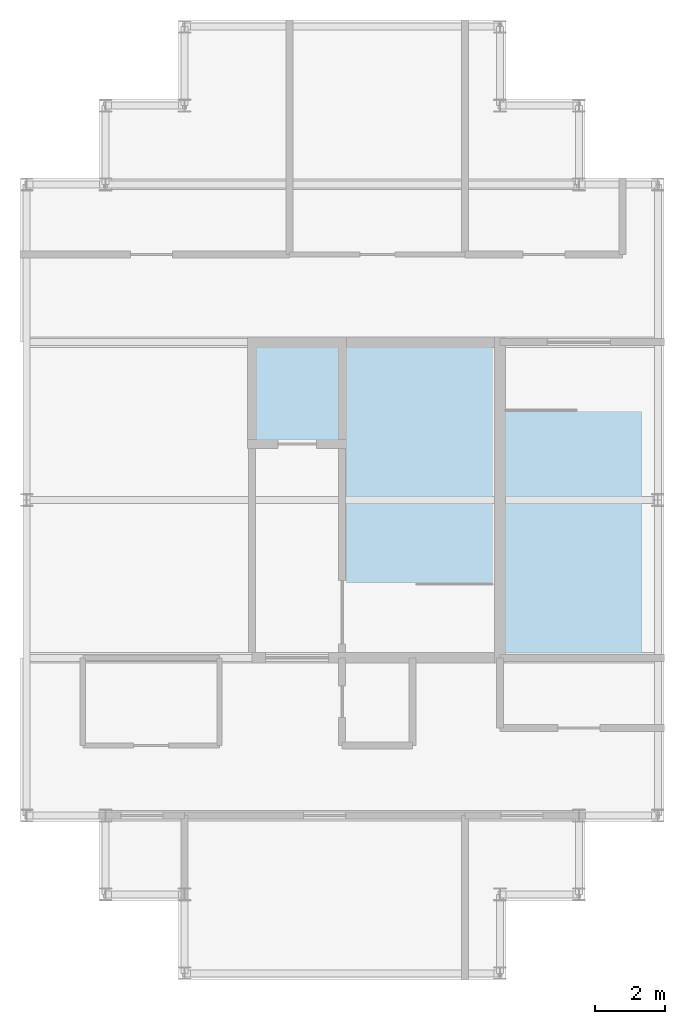
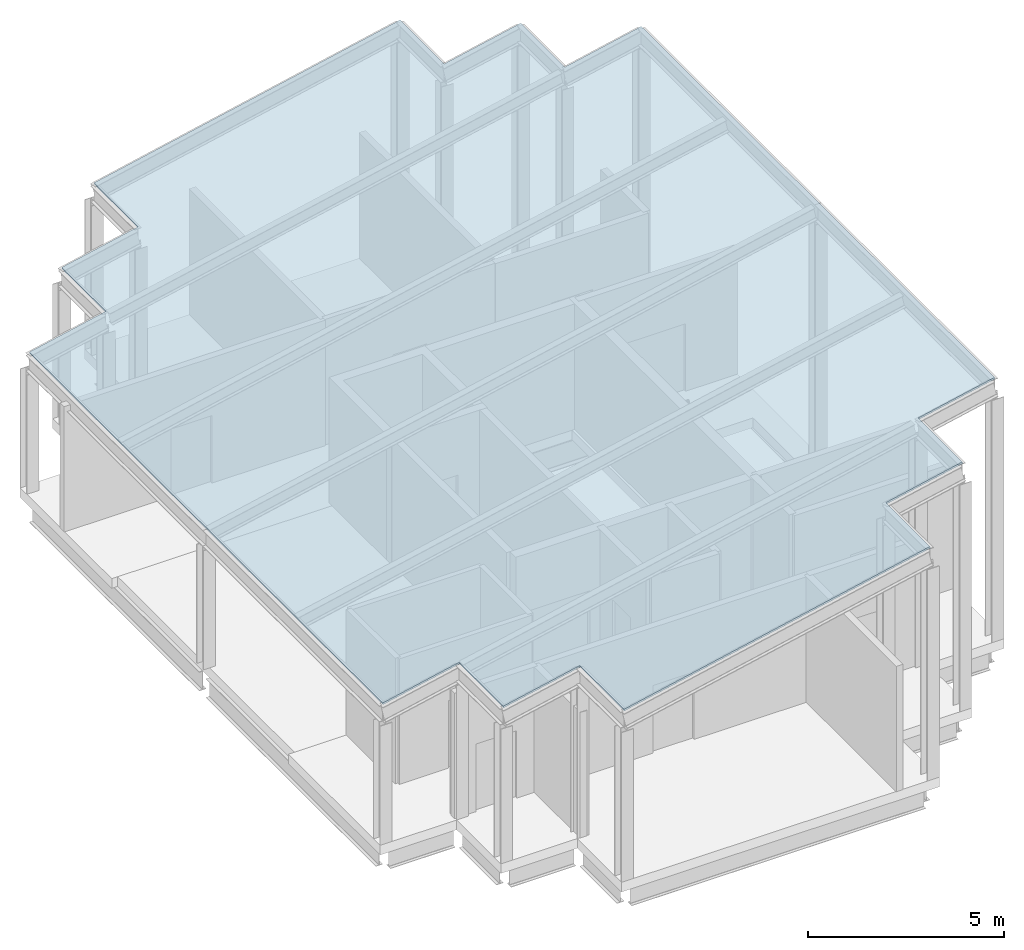
# One storey, part 3 of 4: 1 roof.
"""IFC4 building model written with IfcOpenShell, lengths in metres."""

from ifc_helpers import new_model, si_unit, direction, frame, origin, place, context, subcontext, project, spatial, polyline, outline, extrude, material, layer, layer_set, type_object, element, save


model = new_model("IFC4")

# Units and contexts
model_context = context("Model", 3, precision=1e-05, world=origin(), true_north=direction((0.0, 1.0)))
body_context = subcontext(model_context, "Body", "Model", "MODEL_VIEW")
ifc_project = project(units=[si_unit("LENGTHUNIT", "METRE"), si_unit("AREAUNIT", "SQUARE_METRE"), si_unit("VOLUMEUNIT", "CUBIC_METRE"), si_unit("PLANEANGLEUNIT", "RADIAN"), si_unit("MASSUNIT", "GRAM", prefix="KILO")], contexts=[model_context])

# Site, building, storey
site_placement = place(None, origin())
site = spatial("IfcSite", under=ifc_project, at=site_placement, CompositionType="ELEMENT")
building_placement = place(site_placement, origin())
building = spatial("IfcBuilding", under=site, at=building_placement, Name="Caravel Reach Hotel and Residences", CompositionType="ELEMENT")
storey_placement = place(building_placement, frame((0.0, 0.0, 329.60009765625)))
storey = spatial("IfcBuildingStorey", under=building, at=storey_placement, Name="L83", CompositionType="ELEMENT", Elevation=329.60009765625)

# Roof
ifc_material = material(Name="Dark laminated low-e glass", Category="glass")
ifc_layer = layer(ifc_material, 0.06005859375)
ifc_layer_set = layer_set([ifc_layer], Name="RF1 Glazed roof 60")
roof_type = type_object("IfcRoofType", Name="RF1 Glazed roof 60", PredefinedType="SHED_ROOF", material=ifc_layer_set)
roof_placement = place(storey_placement, frame((45.0, 13.5, 7.12939453125), z_axis=(-0.207910014217, 0.0, 0.978147957105), x_axis=(0.0, 1.0, 0.0)))
element("IfcRoof", 1, at=roof_placement, inside=storey, type_object=roof_type, Name="East peak glazed roof", PredefinedType="SHED_ROOF", context=body_context, shape_type="SweptSolid", body=[
    extrude(outline(polyline([(0.0, 0.0), (2.25, 0.0), (2.25, -2.300270334601784), (4.5, -2.300270334601784), (4.5, -4.600540669203568), (22.5, -4.600540669203568), (22.5, -2.300270334601784), (24.75, -2.300270334601784), (24.75, 0.0), (27.0, 0.0), (27.0, 9.201081338407135), (24.75, 9.201081338407135), (24.75, 11.50135167300892), (22.5, 11.50135167300892), (22.5, 13.80157124832989), (4.5, 13.80157124832989), (4.5, 11.50135167300892), (2.25, 11.50135167300892), (2.25, 9.201081338407135), (0.0, 9.201081338407135), (0.0, 0.0)])), origin(), (0.0, 0.0, -1.0), 0.06005859375),
])

save(model, "model.ifc")
